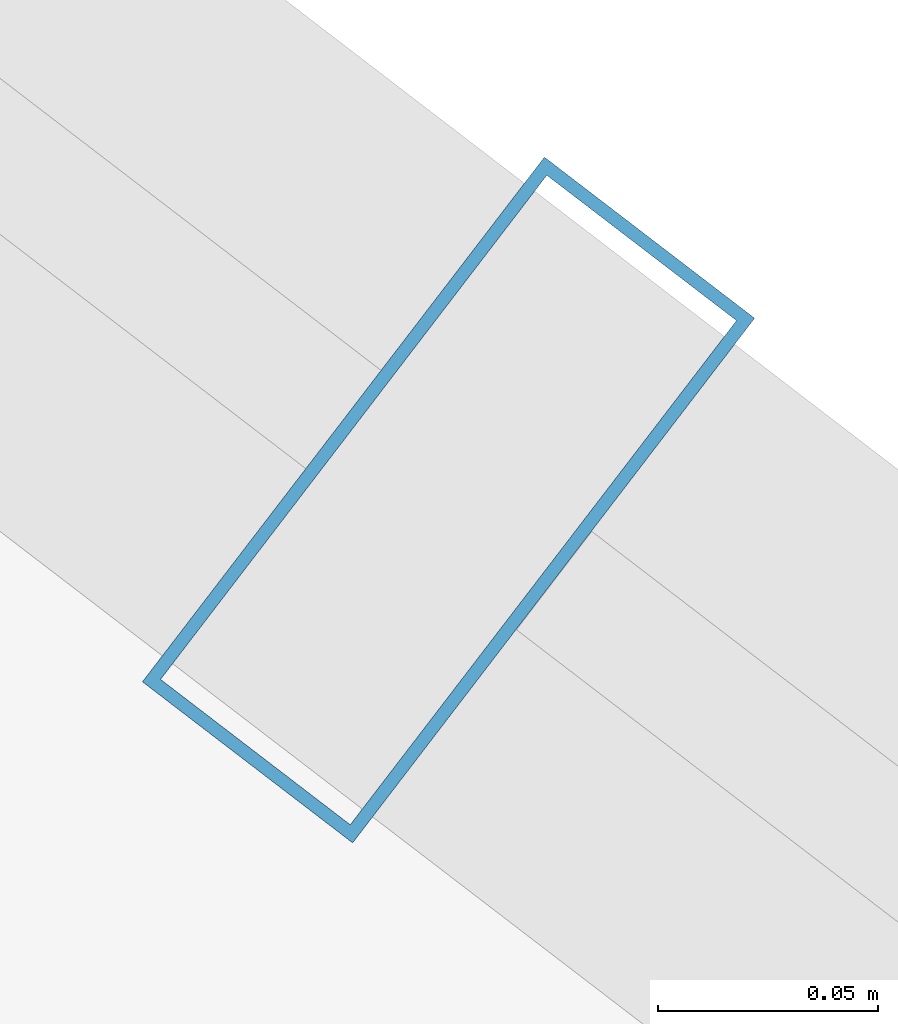
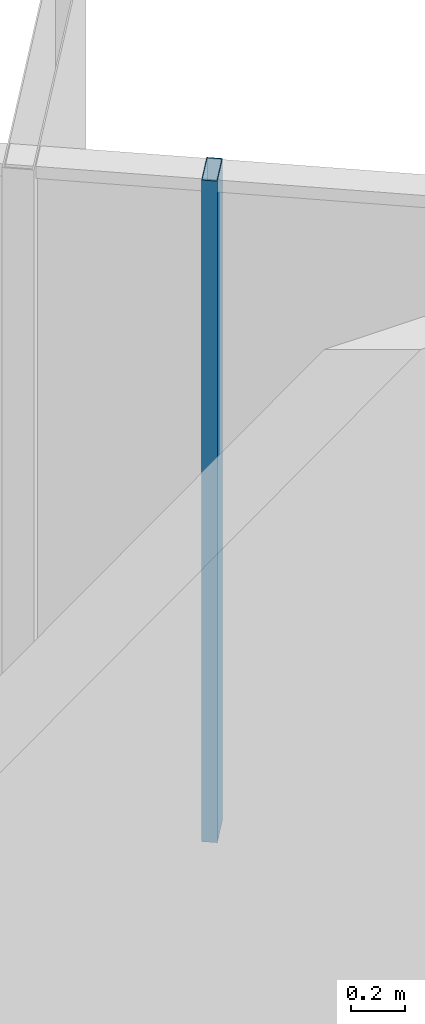
# One storey, part 19 of 31: 1 member, 1 element without a shape of its own.
"""IFC4 building model written with IfcOpenShell, lengths in metres."""

from ifc_helpers import new_model, si_unit, direction, frame, origin, origin_2d, place, context, subcontext, project, spatial, hollow_rectangle, extrude, source, transform, mapped, material, layer, layer_set, material_profile, profile_set, type_object, element, aggregate, save


model = new_model("IFC4")

# Units and contexts
model_context = context("Model", 3, precision=1e-05, world=origin(), true_north=direction((0.0, 1.0)))
body_context = subcontext(model_context, "Body", "Model", "MODEL_VIEW")
ifc_project = project(units=[si_unit("LENGTHUNIT", "METRE"), si_unit("AREAUNIT", "SQUARE_METRE"), si_unit("VOLUMEUNIT", "CUBIC_METRE"), si_unit("PLANEANGLEUNIT", "RADIAN"), si_unit("MASSUNIT", "GRAM", prefix="KILO")], contexts=[model_context])

# Site, building, storey
site_placement = place(None, origin())
site = spatial("IfcSite", under=ifc_project, at=site_placement, CompositionType="ELEMENT")
building_placement = place(site_placement, origin())
building = spatial("IfcBuilding", under=site, at=building_placement, Name="Veraguas Prism Commons", CompositionType="ELEMENT")
storey_placement = place(building_placement, frame((0.0, 0.0, 233.300048828125)))
storey = spatial("IfcBuildingStorey", under=building, at=storey_placement, Name="L66", CompositionType="ELEMENT", Elevation=233.300048828125)

# Curtain wall, member
ifc_material = material(Name="Anodised aluminium EN AW-6063 T6", Category="aluminium")
ifc_layer = layer(ifc_material, 0.14990234375, Name="Unitised Flush Curtain Wall Zone 4", Category="aluminium")
ifc_layer_set = layer_set([ifc_layer], Name="Anodised aluminium EN AW-6063 T6")
curtain_wall_type = type_object("IfcCurtainWallType", Name="Unitised Flush Curtain Wall Zone 4", PredefinedType="NOTDEFINED", material=ifc_layer_set)
curtain_wall_placement = place(storey_placement, origin())
curtain_wall = element("IfcCurtainWall", 1, at=curtain_wall_placement, inside=storey, type_object=curtain_wall_type, Name="Tower Facade Curtain Wall L66-F1", PredefinedType="NOTDEFINED")
ifc_material_profile = material_profile(ifc_material, hollow_rectangle(XDim=0.06005859375, YDim=0.14990234375, WallThickness=0.0029296875, at=origin_2d()), Name="AL60X150X3")
ifc_profile_set = profile_set([ifc_material_profile], Name="Anodised aluminium EN AW-6063 T6")
member_type = type_object("IfcMemberType", Name="Curtain Wall Mullion Upper AL 60x150x3", PredefinedType="MULLION", material=ifc_profile_set)
shared_shape = source(origin(), body_context, "Body", "SweptSolid", [
    extrude(hollow_rectangle(XDim=0.06005859375, YDim=0.14990234375, WallThickness=0.0029296875, at=origin_2d()), origin(), (0.0, 0.0, 1.0), 3.014892578125),
])
member_placement = place(storey_placement, frame((36.93798828125, 34.81591796875, 0.0), z_axis=(0.0, 0.0, 1.0), x_axis=(-0.793780265613, 0.608204644773, 0.0)))
member = element("IfcMember", 2, at=member_placement, type_object=member_type, Name="CW-Z4 Mullion 2", PredefinedType="MULLION", context=body_context, shape_type="MappedRepresentation", body=[
    mapped(shared_shape, transform((0.0, 0.0, 0.0), scale=1.0)),
])
aggregate(curtain_wall, [member])

save(model, "model.ifc")
